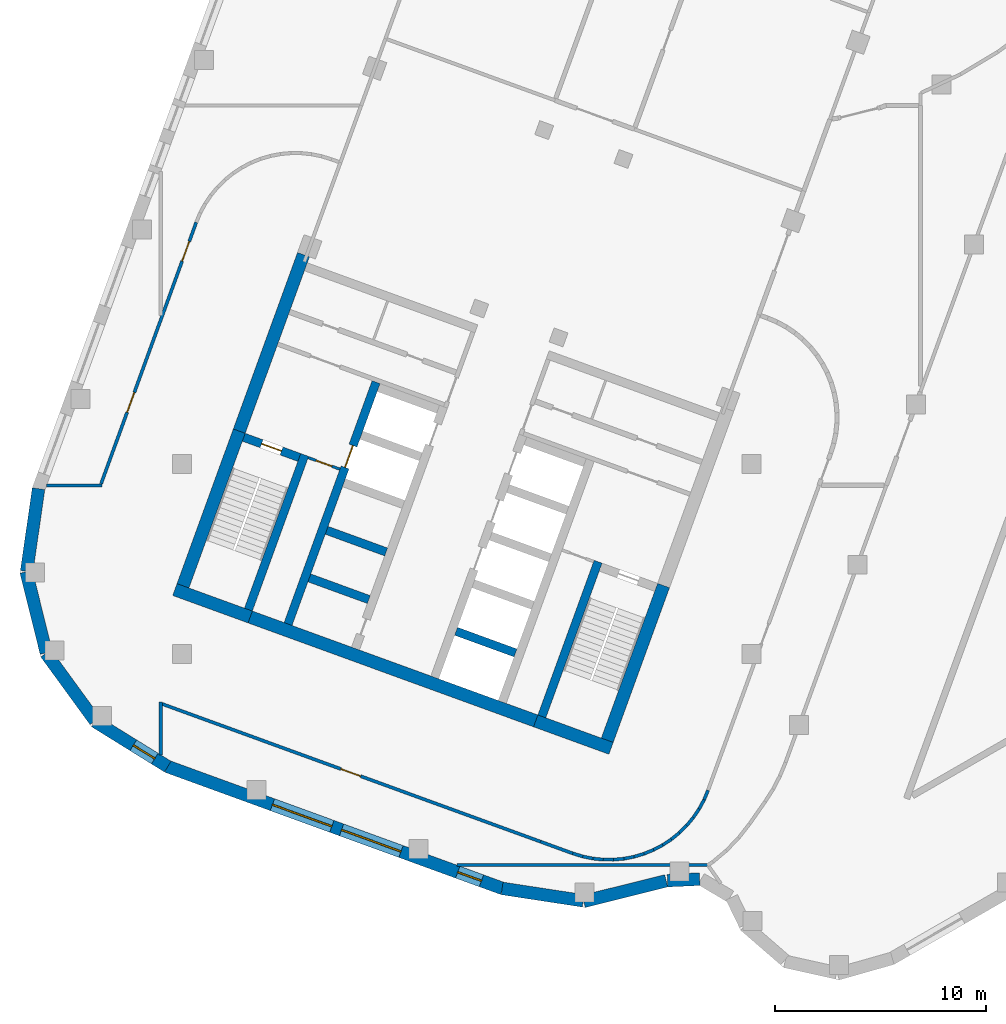
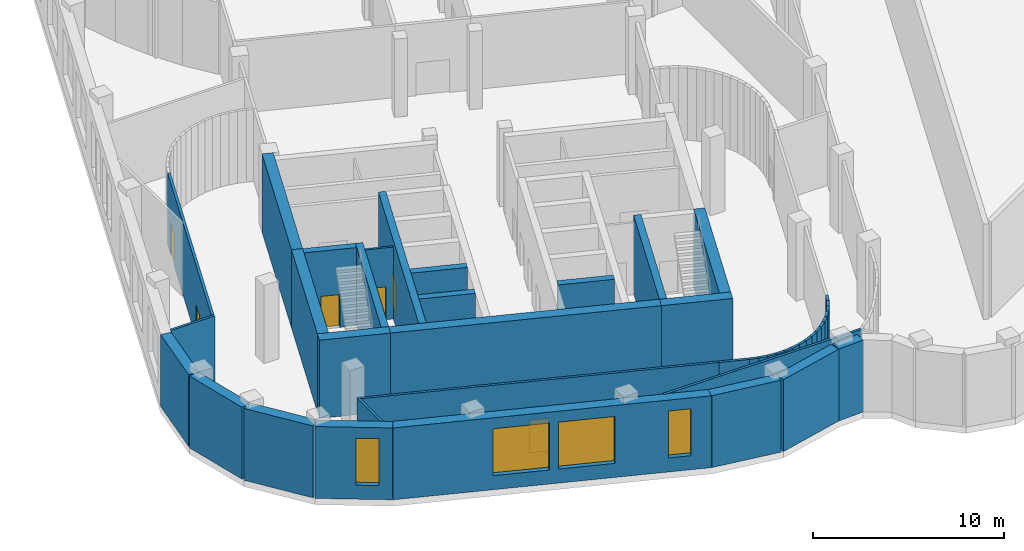
# One storey, part 8 of 24: 44 walls, 6 doors, 4 windows, 10 openings.
"""IFC4 building model written with IfcOpenShell, lengths in metres."""

import ifcopenshell
import ifcopenshell.guid

model = None  # the IFC model being written
_history = None  # IfcOwnerHistory: only IFC2X3 demands one
_inside = {}  # id of a spatial element -> (the spatial element, [elements in it])
_under = {}  # id of a project, library or spatial element -> (it, [spatial elements below it])
_declared = {}  # id of a project -> (the project, [libraries it declares])
_typed = {}  # id of a type object -> (the type object, [elements of that type])
_made_of = {}  # id of a material, layer set ... -> (it, [elements and type objects made of it])


def new_model(schema):
    """Start an empty IFC model of exactly this schema.

    Asked for "IFC4X3", IfcOpenShell would pick the latest addendum, in which some entities
    have other attributes; the version numbers below select the first issue.
    IFC2X3 requires an IfcOwnerHistory on every rooted entity: one is made here for all.
    """
    global model, _history
    if schema == "IFC4X3":
        model = ifcopenshell.file(schema_version=(4, 3, 0, 0))
    else:
        model = ifcopenshell.file(schema=schema)
    _inside.clear()
    _under.clear()
    _declared.clear()
    _typed.clear()
    _made_of.clear()
    _history = None
    if model.schema == "IFC2X3":
        org = make("IfcOrganization", Name="unknown")
        user = make(
            "IfcPersonAndOrganization",
            ThePerson=make("IfcPerson", FamilyName="unknown"),
            TheOrganization=org,
        )
        app = make(
            "IfcApplication",
            ApplicationDeveloper=org,
            Version="unknown",
            ApplicationFullName="unknown",
            ApplicationIdentifier="unknown",
        )
        _history = make(
            "IfcOwnerHistory",
            OwningUser=user,
            OwningApplication=app,
            ChangeAction="ADDED",
            CreationDate=0,
        )
    return model


def make(cls, **values):
    """One entity of the class cls with the attributes given. An attribute that is None is left unset."""
    return model.create_entity(
        cls, **{name: value for name, value in values.items() if value is not None}
    )


def rooted(cls, **values):
    """An entity with a GlobalId (a new one), such as an element, a storey or a relation."""
    return make(cls, GlobalId=ifcopenshell.guid.new(), OwnerHistory=_history, **values)


def si_unit(unit_type, name, prefix=None):
    """IfcSIUnit, for example si_unit("LENGTHUNIT", "METRE", prefix="MILLI")."""
    return make("IfcSIUnit", UnitType=unit_type, Prefix=prefix, Name=name)


def assignment(units):
    """IfcUnitAssignment: the units of a project."""
    return None if units is None else make("IfcUnitAssignment", Units=units)


def point(xyz):
    """IfcCartesianPoint."""
    return None if xyz is None else make("IfcCartesianPoint", Coordinates=xyz)


def direction(xyz):
    """IfcDirection."""
    return None if xyz is None else make("IfcDirection", DirectionRatios=xyz)


def frame(location, z_axis=None, x_axis=None):
    """IfcAxis2Placement3D, a coordinate frame: its origin and axes. An axis left out is left unset."""
    return make(
        "IfcAxis2Placement3D",
        Location=point(location),
        Axis=direction(z_axis),
        RefDirection=direction(x_axis),
    )


def frame_2d(location, x_axis=None):
    """IfcAxis2Placement2D, a coordinate frame in the plane: its origin and x axis."""
    return make(
        "IfcAxis2Placement2D", Location=point(location), RefDirection=direction(x_axis)
    )


def origin():
    """The frame at (0, 0, 0) with its axes left unset."""
    return frame((0.0, 0.0, 0.0))


def place(relative_to, where):
    """IfcLocalPlacement: puts the frame where relative to a parent placement (None: the world)."""
    return make(
        "IfcLocalPlacement", PlacementRelTo=relative_to, RelativePlacement=where
    )


def context(
    kind, dimensions, precision=None, world=None, true_north=None, identifier=None
):
    """IfcGeometricRepresentationContext, for example the 3D "Model" context."""
    return make(
        "IfcGeometricRepresentationContext",
        ContextIdentifier=identifier,
        ContextType=kind,
        CoordinateSpaceDimension=dimensions,
        Precision=precision,
        WorldCoordinateSystem=world,
        TrueNorth=true_north,
    )


def subcontext(parent, identifier, kind, view, scale=None):
    """IfcGeometricRepresentationSubContext, for example "Body" below "Model"."""
    return make(
        "IfcGeometricRepresentationSubContext",
        ContextIdentifier=identifier,
        ContextType=kind,
        ParentContext=parent,
        TargetScale=scale,
        TargetView=view,
    )


def project(units=None, contexts=None):
    """IfcProject with its units and contexts."""
    return rooted(
        "IfcProject",
        Name="project",
        RepresentationContexts=contexts,
        UnitsInContext=assignment(units),
    )


def spatial(cls, under=None, at=None, **own):
    """A site, building, storey or space (cls), placed at a placement, below another one or the project."""
    s = rooted(cls, ObjectPlacement=at, **own)
    if under is not None:
        _under.setdefault(under.id(), (under, []))[1].append(s)
    return s


def profile(cls, at=None, kind="AREA", **sizes):
    """A parametric profile (cls). Its sizes go by their IFC names, for example OverallWidth=200.0."""
    return make(cls, ProfileType=kind, Position=at, **sizes)


def rectangle(**sizes):
    """IfcRectangleProfileDef."""
    return profile("IfcRectangleProfileDef", **sizes)


def extrude(swept, where, along, depth):
    """IfcExtrudedAreaSolid: the profile swept, set in the frame where, extruded along a direction by depth."""
    return make(
        "IfcExtrudedAreaSolid",
        SweptArea=swept,
        Position=where,
        ExtrudedDirection=direction(along),
        Depth=depth,
    )


def shape(context_of_items, identifier, shape_type, items):
    """IfcShapeRepresentation: the items that make up one representation, for example the "Body"."""
    return make(
        "IfcShapeRepresentation",
        ContextOfItems=context_of_items,
        RepresentationIdentifier=identifier,
        RepresentationType=shape_type,
        Items=items,
    )


def material(Name=None, Category=None):
    """IfcMaterial."""
    return make("IfcMaterial", Name=Name, Category=Category)


def layer(
    of_material, thickness, ventilated=None, Name=None, Category=None, Priority=None
):
    """IfcMaterialLayer: one layer of a wall or slab, of a material (None: an air gap)."""
    return make(
        "IfcMaterialLayer",
        Material=of_material,
        LayerThickness=thickness,
        IsVentilated=ventilated,
        Name=Name,
        Category=Category,
        Priority=Priority,
    )


def layer_set(layers, Name=None):
    """IfcMaterialLayerSet."""
    return make("IfcMaterialLayerSet", MaterialLayers=layers, LayerSetName=Name)


def made_of(thing, what):
    """Note that an element or type object is made of a material, layer set ...; save() writes the relation."""
    if what is not None:
        _made_of.setdefault(what.id(), (what, []))[1].append(thing)
    return thing


def type_object(cls, material=None, **own):
    """A type object (cls), such as IfcWallType, which elements share."""
    return made_of(rooted(cls, **own), material)


def element(
    cls,
    number,
    at=None,
    inside=None,
    cuts=None,
    type_object=None,
    material=None,
    context=None,
    identifier="Body",
    shape_type=None,
    held_by="IfcProductDefinitionShape",
    body=None,
    shapes=None,
    **own,
):
    """One element of the class cls, such as IfcWall. Its Tag is "e" and its number.

    at: its placement. inside: the storey or other place that contains it. cuts: it is an
    opening in that element (IfcRelVoidsElement). A single representation is given by context,
    identifier, shape_type and body (its items); several are given by shapes. held_by: the class
    of the entity that holds the representations. save() writes the other relations.
    """
    e = rooted(cls, Tag="e%d" % number, ObjectPlacement=at, **own)
    if body is not None:
        shapes = [shape(context, identifier, shape_type, body)]
    if shapes is not None:
        e.Representation = make(held_by, Representations=shapes)
    if inside is not None:
        _inside.setdefault(inside.id(), (inside, []))[1].append(e)
    if cuts is not None:
        rooted(
            "IfcRelVoidsElement", RelatingBuildingElement=cuts, RelatedOpeningElement=e
        )
    if type_object is not None:
        _typed.setdefault(type_object.id(), (type_object, []))[1].append(e)
    return made_of(e, material)


def fill(opening, filler):
    """IfcRelFillsElement: the door or window that sits in an opening."""
    return rooted(
        "IfcRelFillsElement",
        RelatingOpeningElement=opening,
        RelatedBuildingElement=filler,
    )


def aggregate(whole, parts):
    """IfcRelAggregates: a whole, such as a stair, and the parts it consists of."""
    return rooted("IfcRelAggregates", RelatingObject=whole, RelatedObjects=parts)


def save(model, path):
    """Write the relations noted so far, then the file.

    IfcRelAggregates (storeys below a building ...), IfcRelContainedInSpatialStructure (elements
    in a storey), IfcRelDefinesByType, IfcRelAssociatesMaterial and IfcRelDeclares: one each for
    every whole, place, type object, material and project.
    """
    for whole, parts in _under.values():
        aggregate(whole, parts)
    for where, things in _inside.values():
        rooted(
            "IfcRelContainedInSpatialStructure",
            RelatedElements=things,
            RelatingStructure=where,
        )
    for kind, things in _typed.values():
        rooted("IfcRelDefinesByType", RelatedObjects=things, RelatingType=kind)
    for what, things in _made_of.values():
        rooted("IfcRelAssociatesMaterial", RelatedObjects=things, RelatingMaterial=what)
    for by, libraries in _declared.values():
        rooted("IfcRelDeclares", RelatingContext=by, RelatedDefinitions=libraries)
    model.write(path)


model = new_model("IFC4")

# Units and contexts
model_context = context("Model", 3, precision=1e-05, world=origin(), true_north=direction((0.0, 1.0)))
body_context = subcontext(model_context, "Body", "Model", "MODEL_VIEW")
ifc_project = project(units=[si_unit("LENGTHUNIT", "METRE"), si_unit("AREAUNIT", "SQUARE_METRE"), si_unit("VOLUMEUNIT", "CUBIC_METRE"), si_unit("PLANEANGLEUNIT", "RADIAN"), si_unit("MASSUNIT", "GRAM", prefix="KILO")], contexts=[model_context])

# Site, building, storey
site_placement = place(None, origin())
site = spatial("IfcSite", under=ifc_project, at=site_placement, CompositionType="ELEMENT")
building_placement = place(site_placement, origin())
building = spatial("IfcBuilding", under=site, at=building_placement, Name="Skarvind Civic Tower", CompositionType="ELEMENT")
storey_placement = place(building_placement, frame((0.0, 0.0, 12.5)))
storey = spatial("IfcBuildingStorey", under=building, at=storey_placement, Name="L02", CompositionType="ELEMENT", Elevation=12.5)

# Walls
ifc_material_1 = material(Name="Concrete C80", Category="concrete")
ifc_layer_1 = layer(ifc_material_1, 0.39990234375)
ifc_layer_set_1 = layer_set([ifc_layer_1], Name="Core wall 400 C80")
wall_type_1 = type_object("IfcWallType", Name="Core wall 400 C80", PredefinedType="SHEAR", material=ifc_layer_set_1)
for number, where, z_axis, x_axis, name in (
    (1, (36.057861328125, 79.04833984375, 0.0), (0.0, 0.0, 1.0), (0.342016982193, 0.939693771338, 0.0), "Core wall C2 south stair inner L02"),
    (2, (22.150390625, 84.110107421875, 0.0), (0.0, 0.0, 1.0), (0.342016982193, 0.939693771338, 0.0), "Core wall C2 north stair inner L02"),
):
    element("IfcWall", number, at=place(storey_placement, frame(where, z_axis=z_axis, x_axis=x_axis)), inside=storey, type_object=wall_type_1, Name=name, PredefinedType="SHEAR", context=body_context, shape_type="SweptSolid", body=[
        extrude(rectangle(XDim=7.800048828125, YDim=0.39990234375, at=frame_2d((3.89990234375, 0.0))), origin(), (0.0, 0.0, 1.0), 5.0),
    ])

# Wall, opening, door
wall_1_placement = place(storey_placement, frame((24.56201171875, 91.3203125, 0.0), z_axis=(0.0, 0.0, 1.0), x_axis=(-0.939717030584, 0.341953070509, 0.0)))
wall_1 = element("IfcWall", 3, at=wall_1_placement, inside=storey, type_object=wall_type_1, Name="Core wall C2 north stair end L02", PredefinedType="SHEAR", context=body_context, shape_type="SweptSolid", body=[
    extrude(rectangle(XDim=2.800048828125, YDim=0.39990234375, at=frame_2d((1.39990234375, 0.0))), origin(), (0.0, 0.0, 1.0), 5.0),
])
opening_1_placement = place(wall_1_placement, frame((0.89990234375, 0.0, 0.0)))
opening_1 = element("IfcOpeningElement", 4, at=opening_1_placement, cuts=wall_1, Name="Opening D-L02-C2-08", PredefinedType="OPENING", context=body_context, shape_type="SweptSolid", body=[
    extrude(rectangle(XDim=1.0, YDim=2.10009765625, at=frame_2d((0.5, 1.050048828125))), frame((0.0, 0.2099609375, 0.0), z_axis=(0.0, -1.0, 0.0), x_axis=(1.0, 0.0, 0.0)), (0.0, 0.0, 1.0), 0.419921875),
])
ifc_material_2 = material(Name="Fire-rated steel door", Category="steel")
door_type_1 = type_object("IfcDoorType", Name="Fire door 1000", OperationType="NOTDEFINED", PredefinedType="DOOR", material=ifc_material_2)
door_1_placement = place(opening_1_placement, origin())
door_1 = element("IfcDoor", 5, at=door_1_placement, inside=storey, type_object=door_type_1, Name="Fire door", OperationType="SINGLE_SWING_LEFT", OverallHeight=2.10009765625, OverallWidth=1.0, PredefinedType="DOOR", context=body_context, shape_type="SweptSolid", body=[
    extrude(rectangle(XDim=1.0, YDim=2.10009765625, at=frame_2d((0.5, 1.050048828125))), frame((0.0, 0.02490234375, 0.0), z_axis=(0.0, -1.0, 0.0), x_axis=(1.0, 0.0, 0.0)), (0.0, 0.0, 1.0), 0.050048828125),
])
fill(opening_1, door_1)

# Wall
wall_2_placement = place(storey_placement, frame((34.8115234375, 82.055908203125, 0.0), z_axis=(0.0, 0.0, 1.0), x_axis=(-0.939686455819, 0.342037080957, 0.0)))
element("IfcWall", 6, at=wall_2_placement, inside=storey, type_object=wall_type_1, Name="Core wall C2 south lift row division 1 L02", PredefinedType="SHEAR", context=body_context, shape_type="SweptSolid", body=[
    extrude(rectangle(XDim=3.0, YDim=0.39990234375, at=frame_2d((1.5, 0.0))), origin(), (0.0, 0.0, 1.0), 5.0),
])

# Wall, opening, door
wall_3_placement = place(storey_placement, frame((24.02978515625, 83.426025390625, 0.0), z_axis=(0.0, 0.0, 1.0), x_axis=(0.342014590177, 0.939694641948, 0.0)))
wall_3 = element("IfcWall", 7, at=wall_3_placement, inside=storey, type_object=wall_type_1, Name="Core wall C2 north lift row back L02", PredefinedType="SHEAR", context=body_context, shape_type="SweptSolid", body=[
    extrude(rectangle(XDim=12.2001953125, YDim=0.39990234375, at=frame_2d((6.10009765625, 0.0))), origin(), (0.0, 0.0, 1.0), 5.0),
])
opening_2_placement = place(wall_3_placement, frame((7.89990234375, 0.0, 0.0)))
opening_2 = element("IfcOpeningElement", 8, at=opening_2_placement, cuts=wall_3, Name="Opening LD04204", PredefinedType="OPENING", context=body_context, shape_type="SweptSolid", body=[
    extrude(rectangle(XDim=1.10009765625, YDim=2.10009765625, at=frame_2d((0.550048828125, 1.050048828125))), frame((0.0, 0.2099609375, 0.0), z_axis=(0.0, -1.0, 0.0), x_axis=(1.0, 0.0, 0.0)), (0.0, 0.0, 1.0), 0.419921875),
])
ifc_material_3 = material(Name="Stainless steel landing door", Category="steel")
door_type_2 = type_object("IfcDoorType", Name="Lift landing door 1100", OperationType="DOUBLE_DOOR_SLIDING", PredefinedType="DOOR", material=ifc_material_3)
door_2_placement = place(opening_2_placement, origin())
door_2 = element("IfcDoor", 9, at=door_2_placement, inside=storey, type_object=door_type_2, Name="Lift landing door", OperationType="DOUBLE_DOOR_SLIDING", OverallHeight=2.10009765625, OverallWidth=1.10009765625, PredefinedType="DOOR", context=body_context, shape_type="SweptSolid", body=[
    extrude(rectangle(XDim=1.10009765625, YDim=2.10009765625, at=frame_2d((0.550048828125, 1.050048828125))), frame((0.0, 0.02490234375, 0.0), z_axis=(0.0, -1.0, 0.0), x_axis=(1.0, 0.0, 0.0)), (0.0, 0.0, 1.0), 0.050048828125),
])
fill(opening_2, door_2)

# Walls
wall_4_placement = place(storey_placement, frame((27.857666015625, 84.5869140625, 0.0), z_axis=(0.0, 0.0, 1.0), x_axis=(-0.939686455819, 0.342037080957, 0.0)))
element("IfcWall", 10, at=wall_4_placement, inside=storey, type_object=wall_type_1, Name="Core wall C2 north lift row division 1 L02", PredefinedType="SHEAR", context=body_context, shape_type="SweptSolid", body=[
    extrude(rectangle(XDim=3.0, YDim=0.39990234375, at=frame_2d((1.5, 0.0))), origin(), (0.0, 0.0, 1.0), 5.0),
])
wall_5_placement = place(storey_placement, frame((28.678466796875, 86.842041015625, 0.0), z_axis=(0.0, 0.0, 1.0), x_axis=(-0.939676934218, 0.342063238742, 0.0)))
element("IfcWall", 11, at=wall_5_placement, inside=storey, type_object=wall_type_1, Name="Core wall C2 north lift row division 2 L02", PredefinedType="SHEAR", context=body_context, shape_type="SweptSolid", body=[
    extrude(rectangle(XDim=2.999755859375, YDim=0.39990234375, at=frame_2d((1.5, 0.0))), origin(), (0.0, 0.0, 1.0), 5.0),
])
ifc_layer_2 = layer(ifc_material_1, 0.60009765625)
ifc_layer_set_2 = layer_set([ifc_layer_2], Name="Core wall 600 C80")
wall_type_2 = type_object("IfcWallType", Name="Core wall 600 C80", PredefinedType="SHEAR", material=ifc_layer_set_2)
wall_6_placement = place(storey_placement, frame((39.338134765625, 77.53515625, 0.0), z_axis=(0.0, 0.0, 1.0), x_axis=(-0.939701471648, 0.341995824804, 0.0)))
element("IfcWall", 12, at=wall_6_placement, inside=storey, type_object=wall_type_2, Name="Core wall C2 tip at the south stair L02", PredefinedType="SHEAR", context=body_context, shape_type="SweptSolid", body=[
    extrude(rectangle(XDim=3.800048828125, YDim=0.60009765625, at=frame_2d((1.89990234375, 0.0))), origin(), (0.0, 0.0, 1.0), 5.0),
])
wall_7_placement = place(storey_placement, frame((35.767333984375, 78.834716796875, 0.0), z_axis=(0.0, 0.0, 1.0), x_axis=(-0.939692894512, 0.342019391267, 0.0)))
element("IfcWall", 13, at=wall_7_placement, inside=storey, type_object=wall_type_2, Name="Core wall C2 tip between the stairs L02", PredefinedType="SHEAR", context=body_context, shape_type="SweptSolid", body=[
    extrude(rectangle(XDim=14.39990234375, YDim=0.60009765625, at=frame_2d((7.199951171875, 0.0))), origin(), (0.0, 0.0, 1.0), 5.0),
])
wall_8_placement = place(storey_placement, frame((22.23583984375, 83.759765625, 0.0), z_axis=(0.0, 0.0, 1.0), x_axis=(-0.939680822529, 0.342052557032, 0.0)))
element("IfcWall", 14, at=wall_8_placement, inside=storey, type_object=wall_type_2, Name="Core wall C2 tip at the north stair L02", PredefinedType="SHEAR", context=body_context, shape_type="SweptSolid", body=[
    extrude(rectangle(XDim=3.800048828125, YDim=0.60009765625, at=frame_2d((1.89990234375, 0.0))), origin(), (0.0, 0.0, 1.0), 5.0),
])
for number, where, z_axis, x_axis, name in (
    (15, (39.158935546875, 77.919677734375, 0.0), (0.0, 0.0, 1.0), (0.342016982193, 0.939693771338, 0.0), "Core wall C2 south side at the stair L02"),
    (16, (19.049560546875, 85.23876953125, 0.0), (0.0, 0.0, 1.0), (0.342016982193, 0.939693771338, 0.0), "Core wall C2 north side at the stair L02"),
):
    element("IfcWall", number, at=place(storey_placement, frame(where, z_axis=z_axis, x_axis=x_axis)), inside=storey, type_object=wall_type_2, Name=name, PredefinedType="SHEAR", context=body_context, shape_type="SweptSolid", body=[
        extrude(rectangle(XDim=7.800048828125, YDim=0.60009765625, at=frame_2d((3.89990234375, 0.0))), origin(), (0.0, 0.0, 1.0), 5.0),
    ])
wall_9_placement = place(storey_placement, frame((21.71728515625, 92.568359375, 0.0), z_axis=(0.0, 0.0, 1.0), x_axis=(0.342016162452, 0.939694069696, 0.0)))
element("IfcWall", 17, at=wall_9_placement, inside=storey, type_object=wall_type_2, Name="Core wall C2 north side L02", PredefinedType="SHEAR", context=body_context, shape_type="SweptSolid", body=[
    extrude(rectangle(XDim=8.89990234375, YDim=0.60009765625, at=frame_2d((4.449951171875, 0.0))), origin(), (0.0, 0.0, 1.0), 5.0),
])
ifc_material_4 = material(Name="Plasterboard partition on steel studs", Category="steel")
ifc_layer_3 = layer(ifc_material_4, 0.14990234375)
ifc_layer_set_3 = layer_set([ifc_layer_3], Name="PARTITION 150")
wall_type_3 = type_object("IfcWallType", Name="PARTITION 150", PredefinedType="PARTITIONING", material=ifc_layer_set_3)
wall_10_placement = place(storey_placement, frame((12.587890625, 90.0, 0.0), z_axis=(0.0, 0.0, 1.0), x_axis=(1.0, 0.0, 0.0)))
element("IfcWall", 18, at=wall_10_placement, inside=storey, type_object=wall_type_3, Name="Podium partition L02 001", PredefinedType="PARTITIONING", context=body_context, shape_type="SweptSolid", body=[
    extrude(rectangle(XDim=2.629150390625, YDim=0.14990234375, at=frame_2d((1.314453125, 0.0))), origin(), (0.0, 0.0, 1.0), 4.60009765625),
])

# Wall, openings, doors
wall_11_placement = place(storey_placement, frame((15.1689453125, 90.074951171875, 0.0), z_axis=(0.0, 0.0, 1.0), x_axis=(0.342068648332, 0.93967496499, 0.0)))
wall_11 = element("IfcWall", 19, at=wall_11_placement, inside=storey, type_object=wall_type_3, Name="Podium partition L02 002", PredefinedType="PARTITIONING", context=body_context, shape_type="SweptSolid", body=[
    extrude(rectangle(XDim=13.1845703125, YDim=0.14990234375, at=frame_2d((6.59228515625, 0.0))), origin(), (0.0, 0.0, 1.0), 4.60009765625),
])
opening_3_placement = place(wall_11_placement, frame((3.60400390625, 0.0, 0.0)))
opening_3 = element("IfcOpeningElement", 20, at=opening_3_placement, cuts=wall_11, Name="Opening L02-D201", PredefinedType="OPENING", context=body_context, shape_type="SweptSolid", body=[
    extrude(rectangle(XDim=1.0, YDim=2.10009765625, at=frame_2d((0.5, 1.050048828125))), frame((0.0, 0.0849609375, 0.0), z_axis=(0.0, -1.0, 0.0), x_axis=(1.0, 0.0, 0.0)), (0.0, 0.0, 1.0), 0.169921875),
])
opening_4_placement = place(wall_11_placement, frame((11.22705078125, 0.0, 0.0)))
opening_4 = element("IfcOpeningElement", 21, at=opening_4_placement, cuts=wall_11, Name="Opening L02-D202", PredefinedType="OPENING", context=body_context, shape_type="SweptSolid", body=[
    extrude(rectangle(XDim=1.0, YDim=2.10009765625, at=frame_2d((0.5, 1.050048828125))), frame((0.0, 0.0849609375, 0.0), z_axis=(0.0, -1.0, 0.0), x_axis=(1.0, 0.0, 0.0)), (0.0, 0.0, 1.0), 0.169921875),
])
ifc_material_5 = material(Name="Timber veneer door leaf", Category="wood")
door_type_3 = type_object("IfcDoorType", Name="DOOR 1000X2100 TIMBER", OperationType="NOTDEFINED", PredefinedType="DOOR", material=ifc_material_5)
door_3_placement = place(opening_3_placement, origin())
door_3 = element("IfcDoor", 22, at=door_3_placement, inside=storey, type_object=door_type_3, Name="DOOR DOOR", OperationType="SINGLE_SWING_LEFT", OverallHeight=2.10009765625, OverallWidth=1.0, PredefinedType="DOOR", context=body_context, shape_type="SweptSolid", body=[
    extrude(rectangle(XDim=1.0, YDim=2.10009765625, at=frame_2d((0.5, 1.050048828125))), frame((0.0, 0.02490234375, 0.0), z_axis=(0.0, -1.0, 0.0), x_axis=(1.0, 0.0, 0.0)), (0.0, 0.0, 1.0), 0.050048828125),
])
fill(opening_3, door_3)
door_4_placement = place(opening_4_placement, origin())
door_4 = element("IfcDoor", 23, at=door_4_placement, inside=storey, type_object=door_type_3, Name="DOOR DOOR", OperationType="SINGLE_SWING_RIGHT", OverallHeight=2.10009765625, OverallWidth=1.0, PredefinedType="DOOR", context=body_context, shape_type="SweptSolid", body=[
    extrude(rectangle(XDim=1.0, YDim=2.10009765625, at=frame_2d((0.5, 1.050048828125))), frame((0.0, 0.02490234375, 0.0), z_axis=(0.0, -1.0, 0.0), x_axis=(1.0, 0.0, 0.0)), (0.0, 0.0, 1.0), 0.050048828125),
])
fill(opening_4, door_4)

# Wall
wall_12_placement = place(storey_placement, frame((18.0, 77.22509765625, 0.0), z_axis=(0.0, 0.0, 1.0), x_axis=(0.0, 1.0, 0.0)))
element("IfcWall", 24, at=wall_12_placement, inside=storey, type_object=wall_type_3, Name="Podium partition L02 003", PredefinedType="PARTITIONING", context=body_context, shape_type="SweptSolid", body=[
    extrude(rectangle(XDim=2.510986328125, YDim=0.14990234375, at=frame_2d((1.25537109375, 0.0))), origin(), (0.0, 0.0, 1.0), 4.60009765625),
])

# Wall, opening, door
wall_13_placement = place(storey_placement, frame((36.0, 73.110107421875, 0.0), z_axis=(0.0, 0.0, 1.0), x_axis=(-0.939696975073, 0.342008179784, 0.0)))
wall_13 = element("IfcWall", 25, at=wall_13_placement, inside=storey, type_object=wall_type_3, Name="Podium partition L02 004", PredefinedType="PARTITIONING", context=body_context, shape_type="SweptSolid", body=[
    extrude(rectangle(XDim=19.075439453125, YDim=0.14990234375, at=frame_2d((9.53759765625, 0.0))), origin(), (0.0, 0.0, 1.0), 4.60009765625),
])
opening_5_placement = place(wall_13_placement, frame((9.075927734375, 0.0, 0.0)))
opening_5 = element("IfcOpeningElement", 26, at=opening_5_placement, cuts=wall_13, Name="Opening L02-D203", PredefinedType="OPENING", context=body_context, shape_type="SweptSolid", body=[
    extrude(rectangle(XDim=1.0, YDim=2.10009765625, at=frame_2d((0.5, 1.050048828125))), frame((0.0, 0.0849609375, 0.0), z_axis=(0.0, -1.0, 0.0), x_axis=(1.0, 0.0, 0.0)), (0.0, 0.0, 1.0), 0.169921875),
])
door_5_placement = place(opening_5_placement, origin())
door_5 = element("IfcDoor", 27, at=door_5_placement, inside=storey, type_object=door_type_3, Name="DOOR DOOR", OperationType="SINGLE_SWING_LEFT", OverallHeight=2.10009765625, OverallWidth=1.0, PredefinedType="DOOR", context=body_context, shape_type="SweptSolid", body=[
    extrude(rectangle(XDim=1.0, YDim=2.10009765625, at=frame_2d((0.5, 1.050048828125))), frame((0.0, 0.02490234375, 0.0), z_axis=(0.0, -1.0, 0.0), x_axis=(1.0, 0.0, 0.0)), (0.0, 0.0, 1.0), 0.050048828125),
])
fill(opening_5, door_5)

# Walls
wall_14_placement = place(storey_placement, frame((32.031982421875, 72.0, 0.0), z_axis=(0.0, 0.0, 1.0), x_axis=(1.0, 0.0, 0.0)))
element("IfcWall", 28, at=wall_14_placement, inside=storey, type_object=wall_type_3, Name="Podium partition L02 036", PredefinedType="PARTITIONING", context=body_context, shape_type="SweptSolid", body=[
    extrude(rectangle(XDim=11.926025390625, YDim=0.14990234375, at=frame_2d((5.962890625, 0.0))), origin(), (0.0, 0.0, 1.0), 4.60009765625),
])
wall_15_placement = place(storey_placement, frame((36.0, 73.110107421875, 0.0), z_axis=(0.0, 0.0, 1.0), x_axis=(0.939696948785, -0.34200825201, 0.0)))
element("IfcWall", 29, at=wall_15_placement, inside=storey, type_object=wall_type_3, Name="Podium partition L02 039", PredefinedType="PARTITIONING", context=body_context, shape_type="SweptSolid", body=[
    extrude(rectangle(XDim=1.626220703125, YDim=0.14990234375, at=frame_2d((0.81298828125, 0.0))), origin(), (0.0, 0.0, 1.0), 4.60009765625),
])
wall_16_placement = place(storey_placement, frame((37.52392578125, 72.555908203125, 0.0), z_axis=(0.0, 0.0, 1.0), x_axis=(0.954987142797, -0.296647192964, 0.0)))
element("IfcWall", 30, at=wall_16_placement, inside=storey, type_object=wall_type_3, Name="Podium partition L02 042", PredefinedType="PARTITIONING", context=body_context, shape_type="SweptSolid", body=[
    extrude(rectangle(XDim=0.495361328125, YDim=0.14990234375, at=frame_2d((0.24755859375, 0.0))), origin(), (0.0, 0.0, 1.0), 4.60009765625),
])
wall_17_placement = place(storey_placement, frame((37.989990234375, 72.410888671875, 0.0), z_axis=(0.0, 0.0, 1.0), x_axis=(0.979397350706, -0.201942638962, 0.0)))
element("IfcWall", 31, at=wall_17_placement, inside=storey, type_object=wall_type_3, Name="Podium partition L02 043", PredefinedType="PARTITIONING", context=body_context, shape_type="SweptSolid", body=[
    extrude(rectangle(XDim=0.499267578125, YDim=0.14990234375, at=frame_2d((0.24951171875, 0.0))), origin(), (0.0, 0.0, 1.0), 4.60009765625),
])
wall_18_placement = place(storey_placement, frame((38.470947265625, 72.31103515625, 0.0), z_axis=(0.0, 0.0, 1.0), x_axis=(0.994949544905, -0.100376307434, 0.0)))
element("IfcWall", 32, at=wall_18_placement, inside=storey, type_object=wall_type_3, Name="Podium partition L02 044", PredefinedType="PARTITIONING", context=body_context, shape_type="SweptSolid", body=[
    extrude(rectangle(XDim=0.49853515625, YDim=0.14990234375, at=frame_2d((0.249267578125, 0.0))), origin(), (0.0, 0.0, 1.0), 4.60009765625),
])
wall_19_placement = place(storey_placement, frame((38.958984375, 72.260986328125, 0.0), z_axis=(0.0, 0.0, 1.0), x_axis=(0.999982767056, -0.005870740315, 0.0)))
element("IfcWall", 33, at=wall_19_placement, inside=storey, type_object=wall_type_3, Name="Podium partition L02 045", PredefinedType="PARTITIONING", context=body_context, shape_type="SweptSolid", body=[
    extrude(rectangle(XDim=0.4990234375, YDim=0.14990234375, at=frame_2d((0.24951171875, 0.0))), origin(), (0.0, 0.0, 1.0), 4.60009765625),
])
wall_20_placement = place(storey_placement, frame((39.449951171875, 72.258056640625, 0.0), z_axis=(0.0, 0.0, 1.0), x_axis=(0.995925282781, 0.090182210646, 0.0)))
element("IfcWall", 34, at=wall_20_placement, inside=storey, type_object=wall_type_3, Name="Podium partition L02 046", PredefinedType="PARTITIONING", context=body_context, shape_type="SweptSolid", body=[
    extrude(rectangle(XDim=0.498046875, YDim=0.14990234375, at=frame_2d((0.2490234375, 0.0))), origin(), (0.0, 0.0, 1.0), 4.60009765625),
])
wall_21_placement = place(storey_placement, frame((39.93798828125, 72.302001953125, 0.0), z_axis=(0.0, 0.0, 1.0), x_axis=(0.981729772821, 0.190280459207, 0.0)))
element("IfcWall", 35, at=wall_21_placement, inside=storey, type_object=wall_type_3, Name="Podium partition L02 047", PredefinedType="PARTITIONING", context=body_context, shape_type="SweptSolid", body=[
    extrude(rectangle(XDim=0.4990234375, YDim=0.14990234375, at=frame_2d((0.24951171875, 0.0))), origin(), (0.0, 0.0, 1.0), 4.60009765625),
])
wall_22_placement = place(storey_placement, frame((40.419921875, 72.39501953125, 0.0), z_axis=(0.0, 0.0, 1.0), x_axis=(0.958550811735, 0.284921640669, 0.0)))
element("IfcWall", 36, at=wall_22_placement, inside=storey, type_object=wall_type_3, Name="Podium partition L02 048", PredefinedType="PARTITIONING", context=body_context, shape_type="SweptSolid", body=[
    extrude(rectangle(XDim=0.498779296875, YDim=0.14990234375, at=frame_2d((0.24951171875, 0.0))), origin(), (0.0, 0.0, 1.0), 4.60009765625),
])
for number, where, z_axis, x_axis, name in (
    (37, (40.89111328125, 72.534912109375, 0.0), (0.0, 0.0, 1.0), (0.925952664904, 0.377639593208, 0.0), "Podium partition L02 051"),
    (38, (41.345947265625, 72.719970703125, 0.0), (0.0, 0.0, 1.0), (0.883787916347, 0.467887720419, 0.0), "Podium partition L02 053"),
):
    element("IfcWall", number, at=place(storey_placement, frame(where, z_axis=z_axis, x_axis=x_axis)), inside=storey, type_object=wall_type_3, Name=name, PredefinedType="PARTITIONING", context=body_context, shape_type="SweptSolid", body=[
        extrude(rectangle(XDim=0.497802734375, YDim=0.14990234375, at=frame_2d((0.2490234375, 0.0))), origin(), (0.0, 0.0, 1.0), 4.60009765625),
    ])
wall_23_placement = place(storey_placement, frame((41.780029296875, 72.948974609375, 0.0), z_axis=(0.0, 0.0, 1.0), x_axis=(0.834609406562, 0.550842208331, 0.0)))
element("IfcWall", 39, at=wall_23_placement, inside=storey, type_object=wall_type_3, Name="Podium partition L02 054", PredefinedType="PARTITIONING", context=body_context, shape_type="SweptSolid", body=[
    extrude(rectangle(XDim=0.497314453125, YDim=0.14990234375, at=frame_2d((0.24853515625, 0.0))), origin(), (0.0, 0.0, 1.0), 4.60009765625),
])
wall_24_placement = place(storey_placement, frame((42.18896484375, 73.218994140625, 0.0), z_axis=(0.0, 0.0, 1.0), x_axis=(0.777507544785, 0.628873610356, 0.0)))
element("IfcWall", 40, at=wall_24_placement, inside=storey, type_object=wall_type_3, Name="Podium partition L02 055", PredefinedType="PARTITIONING", context=body_context, shape_type="SweptSolid", body=[
    extrude(rectangle(XDim=0.497802734375, YDim=0.14990234375, at=frame_2d((0.2490234375, 0.0))), origin(), (0.0, 0.0, 1.0), 4.60009765625),
])
wall_25_placement = place(storey_placement, frame((42.570068359375, 73.527099609375, 0.0), z_axis=(0.0, 0.0, 1.0), x_axis=(0.711252497293, 0.702936615275, 0.0)))
element("IfcWall", 41, at=wall_25_placement, inside=storey, type_object=wall_type_3, Name="Podium partition L02 056", PredefinedType="PARTITIONING", context=body_context, shape_type="SweptSolid", body=[
    extrude(rectangle(XDim=0.4990234375, YDim=0.14990234375, at=frame_2d((0.24951171875, 0.0))), origin(), (0.0, 0.0, 1.0), 4.60009765625),
])
wall_26_placement = place(storey_placement, frame((42.919921875, 73.8720703125, 0.0), z_axis=(0.0, 0.0, 1.0), x_axis=(0.636754760492, 0.771066388186, 0.0)))
element("IfcWall", 42, at=wall_26_placement, inside=storey, type_object=wall_type_3, Name="Podium partition L02 058", PredefinedType="PARTITIONING", context=body_context, shape_type="SweptSolid", body=[
    extrude(rectangle(XDim=0.498046875, YDim=0.14990234375, at=frame_2d((0.2490234375, 0.0))), origin(), (0.0, 0.0, 1.0), 4.60009765625),
])
wall_27_placement = place(storey_placement, frame((43.23291015625, 74.25, 0.0), z_axis=(0.0, 0.0, 1.0), x_axis=(0.560685437924, 0.828028888203, 0.0)))
element("IfcWall", 43, at=wall_27_placement, inside=storey, type_object=wall_type_3, Name="Podium partition L02 059", PredefinedType="PARTITIONING", context=body_context, shape_type="SweptSolid", body=[
    extrude(rectangle(XDim=0.497802734375, YDim=0.14990234375, at=frame_2d((0.2490234375, 0.0))), origin(), (0.0, 0.0, 1.0), 4.60009765625),
])
wall_28_placement = place(storey_placement, frame((43.508056640625, 74.656005859375, 0.0), z_axis=(0.0, 0.0, 1.0), x_axis=(0.47751332042, 0.878624509573, 0.0)))
element("IfcWall", 44, at=wall_28_placement, inside=storey, type_object=wall_type_3, Name="Podium partition L02 060", PredefinedType="PARTITIONING", context=body_context, shape_type="SweptSolid", body=[
    extrude(rectangle(XDim=0.49853515625, YDim=0.14990234375, at=frame_2d((0.249267578125, 0.0))), origin(), (0.0, 0.0, 1.0), 4.60009765625),
])
wall_29_placement = place(storey_placement, frame((43.742919921875, 75.087890625, 0.0), z_axis=(0.0, 0.0, 1.0), x_axis=(0.387550596891, 0.921848433773, 0.0)))
element("IfcWall", 45, at=wall_29_placement, inside=storey, type_object=wall_type_3, Name="Podium partition L02 063", PredefinedType="PARTITIONING", context=body_context, shape_type="SweptSolid", body=[
    extrude(rectangle(XDim=0.495849609375, YDim=0.14990234375, at=frame_2d((0.248046875, 0.0))), origin(), (0.0, 0.0, 1.0), 4.60009765625),
])

# Wall, opening, door
ifc_material_6 = material(Name="Fire-rated masonry partition", Category="masonry")
ifc_layer_4 = layer(ifc_material_6, 0.125)
ifc_layer_set_4 = layer_set([ifc_layer_4], Name="Riser wall 125")
wall_type_4 = type_object("IfcWallType", Name="Riser wall 125", PredefinedType="PARTITIONING", material=ifc_layer_set_4)
wall_30_placement = place(storey_placement, frame((24.98486328125, 91.3125, 0.0), z_axis=(0.0, 0.0, 1.0), x_axis=(0.939708740826, -0.341975850632, 0.0)))
wall_30 = element("IfcWall", 46, at=wall_30_placement, inside=storey, type_object=wall_type_4, Name="Core wall C2", PredefinedType="PARTITIONING", context=body_context, shape_type="SweptSolid", body=[
    extrude(rectangle(XDim=1.599853515625, YDim=0.125, at=frame_2d((0.7998046875, 0.0))), origin(), (0.0, 0.0, 1.0), 4.60009765625),
])
opening_6_placement = place(wall_30_placement, frame((0.39990234375, 0.0, 0.0)))
opening_6 = element("IfcOpeningElement", 47, at=opening_6_placement, cuts=wall_30, Name="Opening D-L02-C2-09", PredefinedType="OPENING", context=body_context, shape_type="SweptSolid", body=[
    extrude(rectangle(XDim=0.800048828125, YDim=2.10009765625, at=frame_2d((0.39990234375, 1.050048828125))), frame((0.0, 0.072509765625, 0.0), z_axis=(0.0, -1.0, 0.0), x_axis=(1.0, 0.0, 0.0)), (0.0, 0.0, 1.0), 0.14501953125),
])
door_type_4 = type_object("IfcDoorType", Name="Core riser door 800", OperationType="NOTDEFINED", PredefinedType="DOOR", material=ifc_material_2)
door_6_placement = place(opening_6_placement, origin())
door_6 = element("IfcDoor", 48, at=door_6_placement, inside=storey, type_object=door_type_4, Name="Riser door", OperationType="SINGLE_SWING_RIGHT", OverallHeight=2.10009765625, OverallWidth=0.800048828125, PredefinedType="DOOR", context=body_context, shape_type="SweptSolid", body=[
    extrude(rectangle(XDim=0.800048828125, YDim=2.10009765625, at=frame_2d((0.39990234375, 1.050048828125))), frame((0.0, 0.02490234375, 0.0), z_axis=(0.0, -1.0, 0.0), x_axis=(1.0, 0.0, 0.0)), (0.0, 0.0, 1.0), 0.050048828125),
])
fill(opening_6, door_6)

# Walls
ifc_material_7 = material(Name="Limestone masonry cladding on insulated backing", Category="masonry")
ifc_layer_5 = layer(ifc_material_7, 0.60009765625)
ifc_layer_set_5 = layer_set([ifc_layer_5], Name="WX1 STONE FACADE WALL 600")
wall_type_5 = type_object("IfcWallType", Name="WX1 STONE FACADE WALL 600", PredefinedType="SOLIDWALL", material=ifc_layer_set_5)
wall_31_placement = place(storey_placement, frame((11.640869140625, 85.919677734375, 0.0), z_axis=(0.0, 0.0, 1.0), x_axis=(0.142240980655, 0.989832058191, 0.0)))
element("IfcWall", 49, at=wall_31_placement, inside=storey, type_object=wall_type_5, Name="STONE FACADE WALL", PredefinedType="SOLIDWALL", context=body_context, shape_type="SweptSolid", body=[
    extrude(rectangle(XDim=3.96142578125, YDim=0.60009765625, at=frame_2d((1.980712890625, 0.0))), origin(), (0.0, 0.0, 1.0), 4.60009765625),
])
for number, where, z_axis, x_axis, name in (
    (50, (12.571044921875, 82.06103515625, 0.0), (0.0, 0.0, 1.0), (-0.240896747667, 0.970550749298, 0.0), "STONE FACADE WALL"),
    (51, (14.885498046875, 78.836669921875, 0.0), (0.0, 0.0, 1.0), (-0.588600339707, 0.808424170901, 0.0), "STONE FACADE WALL"),
):
    element("IfcWall", number, at=place(storey_placement, frame(where, z_axis=z_axis, x_axis=x_axis)), inside=storey, type_object=wall_type_5, Name=name, PredefinedType="SOLIDWALL", context=body_context, shape_type="SweptSolid", body=[
        extrude(rectangle(XDim=3.961669921875, YDim=0.60009765625, at=frame_2d((1.98095703125, 0.0))), origin(), (0.0, 0.0, 1.0), 4.60009765625),
    ])

# Wall, opening, window
wall_32_placement = place(storey_placement, frame((18.32861328125, 76.668212890625, 0.0), z_axis=(0.0, 0.0, 1.0), x_axis=(-0.849679171995, 0.527300013918, 0.0)))
wall_32 = element("IfcWall", 52, at=wall_32_placement, inside=storey, type_object=wall_type_5, Name="STONE FACADE WALL", PredefinedType="SOLIDWALL", context=body_context, shape_type="SweptSolid", body=[
    extrude(rectangle(XDim=4.0615234375, YDim=0.60009765625, at=frame_2d((2.03076171875, 0.0))), origin(), (0.0, 0.0, 1.0), 4.60009765625),
])
opening_7_placement = place(wall_32_placement, frame((0.722900390625, 0.0, 0.89990234375)))
opening_7 = element("IfcOpeningElement", 53, at=opening_7_placement, cuts=wall_32, Name="Opening WN6", PredefinedType="OPENING", context=body_context, shape_type="SweptSolid", body=[
    extrude(rectangle(XDim=1.199951171875, YDim=3.0, at=frame_2d((0.60009765625, 1.5))), frame((0.0, 0.31005859375, 0.0), z_axis=(0.0, -1.0, 0.0), x_axis=(1.0, 0.0, 0.0)), (0.0, 0.0, 1.0), 0.6201171875),
])
ifc_material_8 = material(Name="Timber frame, double glazing, timber-lined reveal", Category="wood")
window_type_1 = type_object("IfcWindowType", Name="WN6 NARROW PODIUM WINDOW 1200 x 3000", PartitioningType="SINGLE_PANEL", PredefinedType="WINDOW", material=ifc_material_8)
window_1_placement = place(opening_7_placement, origin())
window_1 = element("IfcWindow", 54, at=window_1_placement, inside=storey, type_object=window_type_1, Name="WN6 WINDOW", OverallHeight=3.0, OverallWidth=1.199951171875, PartitioningType="SINGLE_PANEL", PredefinedType="WINDOW", context=body_context, shape_type="SweptSolid", body=[
    extrude(rectangle(XDim=1.199951171875, YDim=3.0, at=frame_2d((0.60009765625, 1.5))), frame((0.0, 0.030029296875, 0.0), z_axis=(0.0, -1.0, 0.0), x_axis=(1.0, 0.0, 0.0)), (0.0, 0.0, 1.0), 0.06005859375),
])
fill(opening_7, window_1)

# Wall, openings, windows
wall_33_placement = place(storey_placement, frame((34.2041015625, 70.890380859375, 0.0), z_axis=(0.0, 0.0, 1.0), x_axis=(-0.939693996621, 0.342016363227, 0.0)))
wall_33 = element("IfcWall", 55, at=wall_33_placement, inside=storey, type_object=wall_type_5, Name="STONE FACADE WALL", PredefinedType="SOLIDWALL", context=body_context, shape_type="SweptSolid", body=[
    extrude(rectangle(XDim=16.92626953125, YDim=0.60009765625, at=frame_2d((8.463134765625, 0.0))), origin(), (0.0, 0.0, 1.0), 4.60009765625),
])
opening_8_placement = place(wall_33_placement, frame((1.07080078125, 0.0, 0.89990234375)))
opening_8 = element("IfcOpeningElement", 56, at=opening_8_placement, cuts=wall_33, Name="Opening WN6", PredefinedType="OPENING", context=body_context, shape_type="SweptSolid", body=[
    extrude(rectangle(XDim=1.199951171875, YDim=3.0, at=frame_2d((0.60009765625, 1.5))), frame((0.0, 0.31005859375, 0.0), z_axis=(0.0, -1.0, 0.0), x_axis=(1.0, 0.0, 0.0)), (0.0, 0.0, 1.0), 0.6201171875),
])
opening_9_placement = place(wall_33_placement, frame((5.128662109375, 0.0, 0.89990234375)))
opening_9 = element("IfcOpeningElement", 57, at=opening_9_placement, cuts=wall_33, Name="Opening WN2", PredefinedType="OPENING", context=body_context, shape_type="SweptSolid", body=[
    extrude(rectangle(XDim=3.0, YDim=3.0, at=frame_2d((1.5, 1.5))), frame((0.0, 0.31005859375, 0.0), z_axis=(0.0, -1.0, 0.0), x_axis=(1.0, 0.0, 0.0)), (0.0, 0.0, 1.0), 0.6201171875),
])
opening_10_placement = place(wall_33_placement, frame((8.61767578125, 0.0, 0.89990234375)))
opening_10 = element("IfcOpeningElement", 58, at=opening_10_placement, cuts=wall_33, Name="Opening WN2", PredefinedType="OPENING", context=body_context, shape_type="SweptSolid", body=[
    extrude(rectangle(XDim=3.0, YDim=3.0, at=frame_2d((1.5, 1.5))), frame((0.0, 0.31005859375, 0.0), z_axis=(0.0, -1.0, 0.0), x_axis=(1.0, 0.0, 0.0)), (0.0, 0.0, 1.0), 0.6201171875),
])
window_type_2 = type_object("IfcWindowType", Name="WN2 PODIUM STONE WINDOW 3000 x 3000", PartitioningType="SINGLE_PANEL", PredefinedType="WINDOW", material=ifc_material_8)
window_2_placement = place(opening_9_placement, origin())
window_2 = element("IfcWindow", 59, at=window_2_placement, inside=storey, type_object=window_type_2, Name="WN2 WINDOW", OverallHeight=3.0, OverallWidth=3.0, PartitioningType="SINGLE_PANEL", PredefinedType="WINDOW", context=body_context, shape_type="SweptSolid", body=[
    extrude(rectangle(XDim=3.0, YDim=3.0, at=frame_2d((1.5, 1.5))), frame((0.0, 0.030029296875, 0.0), z_axis=(0.0, -1.0, 0.0), x_axis=(1.0, 0.0, 0.0)), (0.0, 0.0, 1.0), 0.06005859375),
])
fill(opening_9, window_2)
window_3_placement = place(opening_10_placement, origin())
window_3 = element("IfcWindow", 60, at=window_3_placement, inside=storey, type_object=window_type_2, Name="WN2 WINDOW", OverallHeight=3.0, OverallWidth=3.0, PartitioningType="SINGLE_PANEL", PredefinedType="WINDOW", context=body_context, shape_type="SweptSolid", body=[
    extrude(rectangle(XDim=3.0, YDim=3.0, at=frame_2d((1.5, 1.5))), frame((0.0, 0.030029296875, 0.0), z_axis=(0.0, -1.0, 0.0), x_axis=(1.0, 0.0, 0.0)), (0.0, 0.0, 1.0), 0.06005859375),
])
fill(opening_10, window_3)
window_4_placement = place(opening_8_placement, origin())
window_4 = element("IfcWindow", 61, at=window_4_placement, inside=storey, type_object=window_type_1, Name="WN6 WINDOW", OverallHeight=3.0, OverallWidth=1.199951171875, PartitioningType="SINGLE_PANEL", PredefinedType="WINDOW", context=body_context, shape_type="SweptSolid", body=[
    extrude(rectangle(XDim=1.199951171875, YDim=3.0, at=frame_2d((0.60009765625, 1.5))), frame((0.0, 0.030029296875, 0.0), z_axis=(0.0, -1.0, 0.0), x_axis=(1.0, 0.0, 0.0)), (0.0, 0.0, 1.0), 0.06005859375),
])
fill(opening_8, window_4)

# Walls
wall_34_placement = place(storey_placement, frame((38.021728515625, 70.30810546875, 0.0), z_axis=(0.0, 0.0, 1.0), x_axis=(-0.98857030495, 0.150760578968, 0.0)))
element("IfcWall", 62, at=wall_34_placement, inside=storey, type_object=wall_type_5, Name="STONE FACADE WALL", PredefinedType="SOLIDWALL", context=body_context, shape_type="SweptSolid", body=[
    extrude(rectangle(XDim=3.891357421875, YDim=0.60009765625, at=frame_2d((1.94580078125, 0.0))), origin(), (0.0, 0.0, 1.0), 4.60009765625),
])
wall_35_placement = place(storey_placement, frame((41.9541015625, 71.25537109375, 0.0), z_axis=(0.0, 0.0, 1.0), x_axis=(-0.970377180078, -0.241594967628, 0.0)))
element("IfcWall", 63, at=wall_35_placement, inside=storey, type_object=wall_type_5, Name="STONE FACADE WALL", PredefinedType="SOLIDWALL", context=body_context, shape_type="SweptSolid", body=[
    extrude(rectangle(XDim=4.031005859375, YDim=0.60009765625, at=frame_2d((2.015625, 0.0))), origin(), (0.0, 0.0, 1.0), 4.60009765625),
])
wall_36_placement = place(storey_placement, frame((43.538330078125, 71.335205078125, 0.0), z_axis=(0.0, 0.0, 1.0), x_axis=(-0.998910056035, -0.046676546065, 0.0)))
element("IfcWall", 64, at=wall_36_placement, inside=storey, type_object=wall_type_5, Name="STONE FACADE WALL", PredefinedType="SOLIDWALL", context=body_context, shape_type="SweptSolid", body=[
    extrude(rectangle(XDim=1.52734375, YDim=0.60009765625, at=frame_2d((0.763671875, 0.0))), origin(), (0.0, 0.0, 1.0), 4.60009765625),
])

save(model, "model.ifc")
